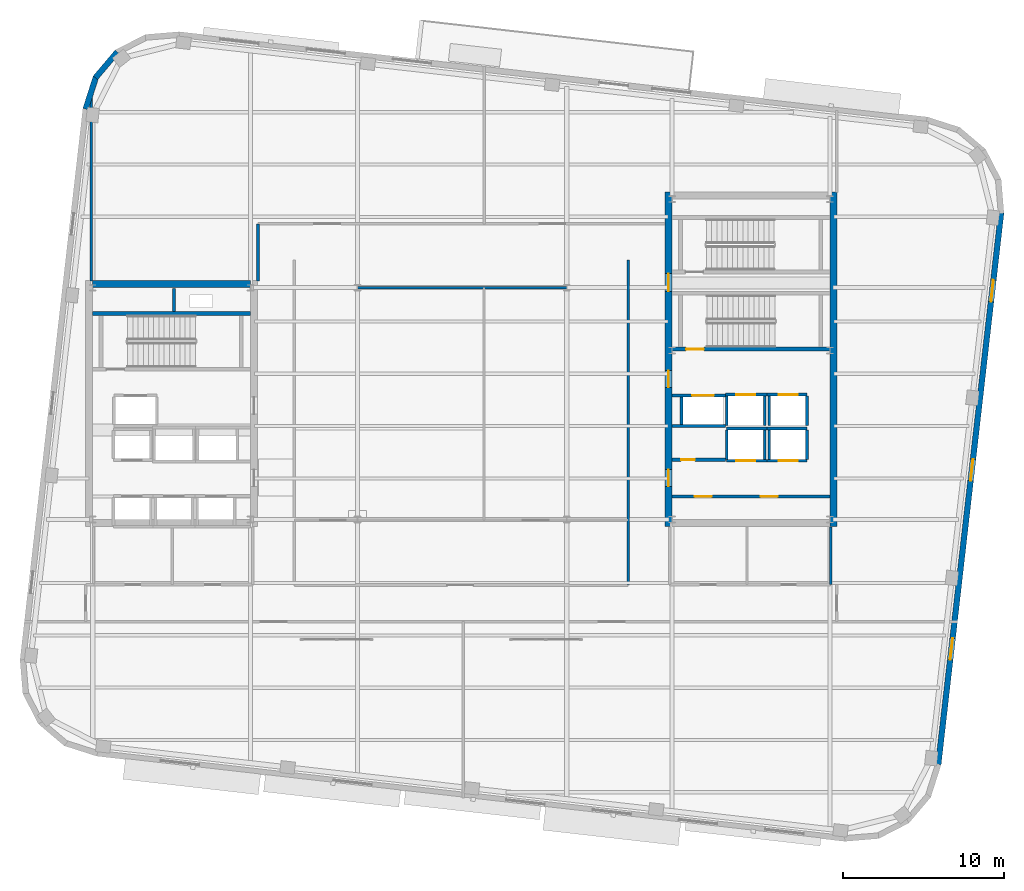
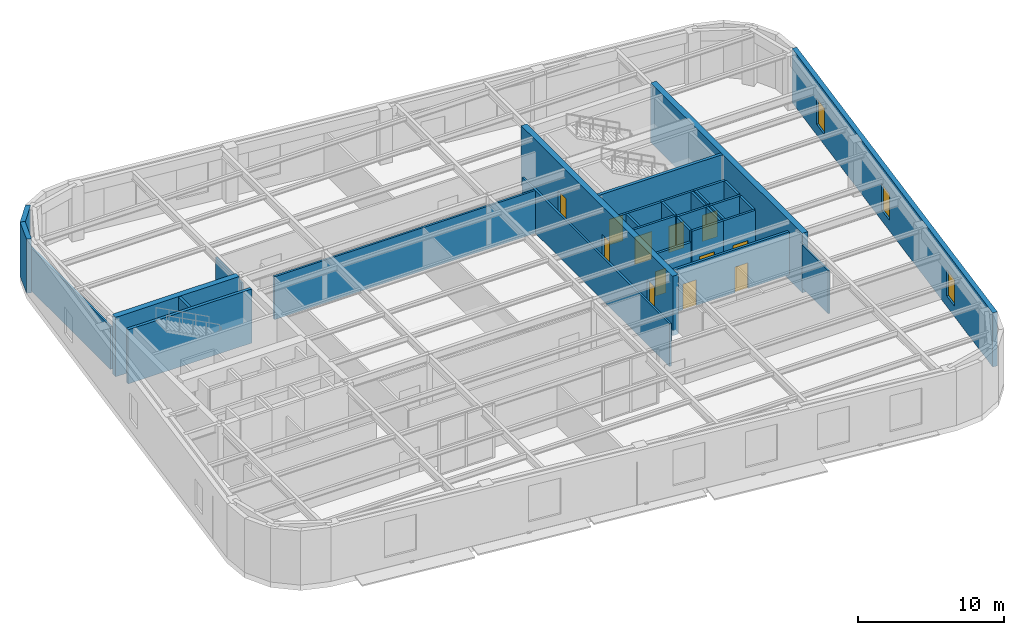
# One storey, part 9 of 15: 33 walls, 12 doors, 3 windows, 15 openings.
"""IFC4 building model written with IfcOpenShell, lengths in metres."""

from ifc_helpers import new_model, si_unit, direction, frame, frame_2d, origin, place, context, subcontext, project, spatial, rectangle, extrude, material, layer, layer_set, type_object, element, fill, save


model = new_model("IFC4")

# Units and contexts
model_context = context("Model", 3, precision=1e-05, world=origin(), true_north=direction((0.0, 1.0)))
body_context = subcontext(model_context, "Body", "Model", "MODEL_VIEW")
ifc_project = project(units=[si_unit("LENGTHUNIT", "METRE"), si_unit("AREAUNIT", "SQUARE_METRE"), si_unit("VOLUMEUNIT", "CUBIC_METRE"), si_unit("PLANEANGLEUNIT", "RADIAN"), si_unit("MASSUNIT", "GRAM", prefix="KILO")], contexts=[model_context])

# Site, building, storey
site_placement = place(None, origin())
site = spatial("IfcSite", under=ifc_project, at=site_placement, CompositionType="ELEMENT")
building_placement = place(site_placement, origin())
building = spatial("IfcBuilding", under=site, at=building_placement, Name="Kolvaren Arena Tower", CompositionType="ELEMENT")
storey_placement = place(building_placement, frame((0.0, 0.0, 216.14990234375)))
storey = spatial("IfcBuildingStorey", under=building, at=storey_placement, Name="L52", CompositionType="ELEMENT", Elevation=216.14990234375)

# Walls
ifc_material_1 = material(Name="Gypsum board acoustic assembly", Category="gypsum")
ifc_layer_1 = layer(ifc_material_1, 0.159912109375)
ifc_layer_set_1 = layer_set([ifc_layer_1], Name="Gypsum board acoustic assembly")
wall_type_1 = type_object("IfcWallType", Name="CORR-160", PredefinedType="PARTITIONING", material=ifc_layer_set_1)
wall_1_placement = place(storey_placement, frame((27.080078125, 33.85009765625, 0.0), z_axis=(0.0, 0.0, 1.0), x_axis=(1.0, 0.0, 0.0)))
element("IfcWall", 1, at=wall_1_placement, inside=storey, type_object=wall_type_1, Name="Interior Partition Wall (L52)", PredefinedType="PARTITIONING", context=body_context, shape_type="SweptSolid", body=[
    extrude(rectangle(XDim=20.739990234375, YDim=0.159912109375, at=frame_2d((10.3701171875, 0.0))), origin(), (0.0, 0.0, 1.0), 3.590087890625),
])
wall_2_placement = place(storey_placement, frame((47.820068359375, 15.3798828125, 0.0), z_axis=(0.0, 0.0, 1.0), x_axis=(0.0, 1.0, 0.0)))
element("IfcWall", 2, at=wall_2_placement, inside=storey, type_object=wall_type_1, Name="Interior Partition Wall (L52)", PredefinedType="PARTITIONING", context=body_context, shape_type="SweptSolid", body=[
    extrude(rectangle(XDim=20.2001953125, YDim=0.159912109375, at=frame_2d((10.10009765625, 0.0))), origin(), (0.0, 0.0, 1.0), 3.590087890625),
])
wall_3_placement = place(storey_placement, frame((24.820068359375, 34.25, 0.0), z_axis=(0.0, 0.0, 1.0), x_axis=(0.0, 1.0, 0.0)))
element("IfcWall", 3, at=wall_3_placement, inside=storey, type_object=wall_type_1, Name="Interior Partition Wall (L52)", PredefinedType="PARTITIONING", context=body_context, shape_type="SweptSolid", body=[
    extrude(rectangle(XDim=3.570068359375, YDim=0.159912109375, at=frame_2d((1.78515625, 0.0))), origin(), (0.0, 0.0, 1.0), 3.590087890625),
])
wall_4_placement = place(storey_placement, frame((14.449951171875, 34.25, 0.0), z_axis=(0.0, 0.0, 1.0), x_axis=(0.0, 1.0, 0.0)))
element("IfcWall", 4, at=wall_4_placement, inside=storey, type_object=wall_type_1, Name="Interior Partition Wall (L52)", PredefinedType="PARTITIONING", context=body_context, shape_type="SweptSolid", body=[
    extrude(rectangle(XDim=11.56201171875, YDim=0.159912109375, at=frame_2d((5.781005859375, 0.0))), origin(), (0.0, 0.0, 1.0), 3.590087890625),
])
ifc_material_2 = material(Name="Concrete 55 MPa", Category="concrete")
ifc_layer_2 = layer(ifc_material_2, 0.449951171875)
ifc_layer_set_2 = layer_set([ifc_layer_2], Name="Concrete 55 MPa")
wall_type_2 = type_object("IfcWallType", Name="CWALL-450", PredefinedType="SHEAR", material=ifc_layer_set_2)
wall_5_placement = place(storey_placement, frame((14.550048828125, 34.074951171875, -0.449951171875), z_axis=(0.0, 0.0, 1.0), x_axis=(1.0, 0.0, 0.0)))
element("IfcWall", 5, at=wall_5_placement, inside=storey, type_object=wall_type_2, Name="Core Shear Wall WC-NORTH (L52)", PredefinedType="SHEAR", context=body_context, shape_type="SweptSolid", body=[
    extrude(rectangle(XDim=9.800048828125, YDim=0.449951171875, at=frame_2d((4.89990234375, 0.0))), origin(), (0.0, 0.0, 1.0), 4.97998046875),
])

# Wall, openings, doors
wall_6_placement = place(storey_placement, frame((50.324951171875, 19.0, -0.449951171875), z_axis=(0.0, 0.0, 1.0), x_axis=(0.0, 1.0, 0.0)))
wall_6 = element("IfcWall", 6, at=wall_6_placement, inside=storey, type_object=wall_type_2, Name="Core Shear Wall EC-WEST (L52)", PredefinedType="SHEAR", context=body_context, shape_type="SweptSolid", body=[
    extrude(rectangle(XDim=20.800048828125, YDim=0.449951171875, at=frame_2d((10.39990234375, 0.0))), origin(), (0.0, 0.0, 1.0), 4.97998046875),
])
opening_1_placement = place(wall_6_placement, frame((2.5, 0.0, 0.449951171875)))
opening_1 = element("IfcOpeningElement", 7, at=opening_1_placement, cuts=wall_6, Name="Opening D04", PredefinedType="OPENING", context=body_context, shape_type="SweptSolid", body=[
    extrude(rectangle(XDim=1.050048828125, YDim=2.14990234375, at=frame_2d((0.52490234375, 1.074951171875))), frame((0.0, 0.23486328125, 0.0), z_axis=(0.0, -1.0, 0.0), x_axis=(1.0, 0.0, 0.0)), (0.0, 0.0, 1.0), 0.469970703125),
])
opening_2_placement = place(wall_6_placement, frame((8.64990234375, 0.0, 0.449951171875)))
opening_2 = element("IfcOpeningElement", 8, at=opening_2_placement, cuts=wall_6, Name="Opening D04", PredefinedType="OPENING", context=body_context, shape_type="SweptSolid", body=[
    extrude(rectangle(XDim=1.050048828125, YDim=2.14990234375, at=frame_2d((0.52490234375, 1.074951171875))), frame((0.0, 0.23486328125, 0.0), z_axis=(0.0, -1.0, 0.0), x_axis=(1.0, 0.0, 0.0)), (0.0, 0.0, 1.0), 0.469970703125),
])
opening_3_placement = place(wall_6_placement, frame((14.6201171875, 0.0, 0.449951171875)))
opening_3 = element("IfcOpeningElement", 9, at=opening_3_placement, cuts=wall_6, Name="Opening D03", PredefinedType="OPENING", context=body_context, shape_type="SweptSolid", body=[
    extrude(rectangle(XDim=1.10009765625, YDim=2.14990234375, at=frame_2d((0.550048828125, 1.074951171875))), frame((0.0, 0.23486328125, 0.0), z_axis=(0.0, -1.0, 0.0), x_axis=(1.0, 0.0, 0.0)), (0.0, 0.0, 1.0), 0.469970703125),
])
ifc_material_3 = material(Name="Fire-rated steel lobby door", Category="steel")
door_type_1 = type_object("IfcDoorType", Name="DOOR-FF-105", OperationType="NOTDEFINED", PredefinedType="DOOR", material=ifc_material_3)
door_1_placement = place(opening_1_placement, origin())
door_1 = element("IfcDoor", 10, at=door_1_placement, inside=storey, type_object=door_type_1, Name="East Lift Lobby Fire Door (L52)", OperationType="SINGLE_SWING_RIGHT", OverallHeight=2.14990234375, OverallWidth=1.050048828125, PredefinedType="DOOR", context=body_context, shape_type="SweptSolid", body=[
    extrude(rectangle(XDim=1.050048828125, YDim=2.14990234375, at=frame_2d((0.52490234375, 1.074951171875))), frame((0.0, 0.02490234375, 0.0), z_axis=(0.0, -1.0, 0.0), x_axis=(1.0, 0.0, 0.0)), (0.0, 0.0, 1.0), 0.050048828125),
])
fill(opening_1, door_1)
door_2_placement = place(opening_2_placement, origin())
door_2 = element("IfcDoor", 11, at=door_2_placement, inside=storey, type_object=door_type_1, Name="East Firefighter Vestibule Door (L52)", OperationType="SINGLE_SWING_LEFT", OverallHeight=2.14990234375, OverallWidth=1.050048828125, PredefinedType="DOOR", context=body_context, shape_type="SweptSolid", body=[
    extrude(rectangle(XDim=1.050048828125, YDim=2.14990234375, at=frame_2d((0.52490234375, 1.074951171875))), frame((0.0, 0.02490234375, 0.0), z_axis=(0.0, -1.0, 0.0), x_axis=(1.0, 0.0, 0.0)), (0.0, 0.0, 1.0), 0.050048828125),
])
fill(opening_2, door_2)
ifc_material_4 = material(Name="Fire-rated steel exit stair door", Category="steel")
door_type_2 = type_object("IfcDoorType", Name="DOOR-ST-110", OperationType="NOTDEFINED", PredefinedType="DOOR", material=ifc_material_4)
door_3_placement = place(opening_3_placement, origin())
door_3 = element("IfcDoor", 12, at=door_3_placement, inside=storey, type_object=door_type_2, Name="Stair ST-E2 Vestibule Fire Door (L52)", OperationType="SINGLE_SWING_LEFT", OverallHeight=2.14990234375, OverallWidth=1.10009765625, PredefinedType="DOOR", context=body_context, shape_type="SweptSolid", body=[
    extrude(rectangle(XDim=1.10009765625, YDim=2.14990234375, at=frame_2d((0.550048828125, 1.074951171875))), frame((0.0, 0.02490234375, 0.0), z_axis=(0.0, -1.0, 0.0), x_axis=(1.0, 0.0, 0.0)), (0.0, 0.0, 1.0), 0.050048828125),
])
fill(opening_3, door_3)

# Wall
wall_7_placement = place(storey_placement, frame((60.574951171875, 19.0, -0.449951171875), z_axis=(0.0, 0.0, 1.0), x_axis=(0.0, 1.0, 0.0)))
element("IfcWall", 13, at=wall_7_placement, inside=storey, type_object=wall_type_2, Name="Core Shear Wall EC-EAST (L52)", PredefinedType="SHEAR", context=body_context, shape_type="SweptSolid", body=[
    extrude(rectangle(XDim=20.800048828125, YDim=0.449951171875, at=frame_2d((10.39990234375, 0.0))), origin(), (0.0, 0.0, 1.0), 4.97998046875),
])

# Wall, openings, windows
ifc_material_5 = material(Name="Precast concrete C50/60", Category="concrete")
ifc_layer_3 = layer(ifc_material_5, 0.360107421875)
ifc_layer_set_3 = layer_set([ifc_layer_3], Name="Precast concrete C50/60")
wall_type_3 = type_object("IfcWallType", Name="EXT-PIER2", PredefinedType="SOLIDWALL", material=ifc_layer_set_3)
wall_8_placement = place(storey_placement, frame((70.98876953125, 38.499267578125, 0.0), z_axis=(0.0, 0.0, 1.0), x_axis=(-0.113203107947, -0.993571867733, 0.0)))
wall_8 = element("IfcWall", 14, at=wall_8_placement, inside=storey, type_object=wall_type_3, Name="Exterior Precast Masonry-Frame Wall (L52)", PredefinedType="SOLIDWALL", context=body_context, shape_type="SweptSolid", body=[
    extrude(rectangle(XDim=34.5, YDim=0.360107421875, at=frame_2d((17.25, 0.0))), origin(), (0.0, 0.0, 1.0), 4.530029296875),
])
opening_4_placement = place(wall_8_placement, frame((4.199951171875, 0.0, 0.8798828125)))
opening_4 = element("IfcOpeningElement", 15, at=opening_4_placement, cuts=wall_8, Name="Opening W04", PredefinedType="OPENING", context=body_context, shape_type="SweptSolid", body=[
    extrude(rectangle(XDim=1.35009765625, YDim=2.199951171875, at=frame_2d((0.675048828125, 1.10009765625))), frame((0.0, 0.18994140625, 0.0), z_axis=(0.0, -1.0, 0.0), x_axis=(1.0, 0.0, 0.0)), (0.0, 0.0, 1.0), 0.380126953125),
])
opening_5_placement = place(wall_8_placement, frame((15.39990234375, 0.0, 0.8798828125)))
opening_5 = element("IfcOpeningElement", 16, at=opening_5_placement, cuts=wall_8, Name="Opening W04", PredefinedType="OPENING", context=body_context, shape_type="SweptSolid", body=[
    extrude(rectangle(XDim=1.35009765625, YDim=2.199951171875, at=frame_2d((0.675048828125, 1.10009765625))), frame((0.0, 0.18994140625, 0.0), z_axis=(0.0, -1.0, 0.0), x_axis=(1.0, 0.0, 0.0)), (0.0, 0.0, 1.0), 0.380126953125),
])
opening_6_placement = place(wall_8_placement, frame((26.60009765625, 0.0, 0.8798828125)))
opening_6 = element("IfcOpeningElement", 17, at=opening_6_placement, cuts=wall_8, Name="Opening W04", PredefinedType="OPENING", context=body_context, shape_type="SweptSolid", body=[
    extrude(rectangle(XDim=1.35009765625, YDim=2.199951171875, at=frame_2d((0.675048828125, 1.10009765625))), frame((0.0, 0.18994140625, 0.0), z_axis=(0.0, -1.0, 0.0), x_axis=(1.0, 0.0, 0.0)), (0.0, 0.0, 1.0), 0.380126953125),
])
ifc_material_6 = material(Name="Triple-glazed curved-facet corner window", Category="glass")
window_type = type_object("IfcWindowType", Name="WIN-CRN-A", PartitioningType="SINGLE_PANEL", PredefinedType="WINDOW", material=ifc_material_6)
window_1_placement = place(opening_4_placement, origin())
window_1 = element("IfcWindow", 18, at=window_1_placement, inside=storey, type_object=window_type, Name="End-Wall Punched Window (L52)", OverallHeight=2.199951171875, OverallWidth=1.35009765625, PartitioningType="SINGLE_PANEL", PredefinedType="WINDOW", context=body_context, shape_type="SweptSolid", body=[
    extrude(rectangle(XDim=1.35009765625, YDim=2.199951171875, at=frame_2d((0.675048828125, 1.10009765625))), frame((0.0, 0.030029296875, 0.0), z_axis=(0.0, -1.0, 0.0), x_axis=(1.0, 0.0, 0.0)), (0.0, 0.0, 1.0), 0.06005859375),
])
fill(opening_4, window_1)
window_2_placement = place(opening_5_placement, origin())
window_2 = element("IfcWindow", 19, at=window_2_placement, inside=storey, type_object=window_type, Name="End-Wall Punched Window (L52)", OverallHeight=2.199951171875, OverallWidth=1.35009765625, PartitioningType="SINGLE_PANEL", PredefinedType="WINDOW", context=body_context, shape_type="SweptSolid", body=[
    extrude(rectangle(XDim=1.35009765625, YDim=2.199951171875, at=frame_2d((0.675048828125, 1.10009765625))), frame((0.0, 0.030029296875, 0.0), z_axis=(0.0, -1.0, 0.0), x_axis=(1.0, 0.0, 0.0)), (0.0, 0.0, 1.0), 0.06005859375),
])
fill(opening_5, window_2)
window_3_placement = place(opening_6_placement, origin())
window_3 = element("IfcWindow", 20, at=window_3_placement, inside=storey, type_object=window_type, Name="End-Wall Punched Window (L52)", OverallHeight=2.199951171875, OverallWidth=1.35009765625, PartitioningType="SINGLE_PANEL", PredefinedType="WINDOW", context=body_context, shape_type="SweptSolid", body=[
    extrude(rectangle(XDim=1.35009765625, YDim=2.199951171875, at=frame_2d((0.675048828125, 1.10009765625))), frame((0.0, 0.030029296875, 0.0), z_axis=(0.0, -1.0, 0.0), x_axis=(1.0, 0.0, 0.0)), (0.0, 0.0, 1.0), 0.06005859375),
])
fill(opening_6, window_3)

# Walls
wall_9_placement = place(storey_placement, frame((14.717529296875, 46.8896484375, 0.0), z_axis=(0.0, 0.0, 1.0), x_axis=(0.646170743289, 0.763192878975, 0.0)))
element("IfcWall", 21, at=wall_9_placement, inside=storey, type_object=wall_type_3, Name="Exterior Precast Masonry-Frame Wall (L52)", PredefinedType="SOLIDWALL", context=body_context, shape_type="SweptSolid", body=[
    extrude(rectangle(XDim=2.107177734375, YDim=0.360107421875, at=frame_2d((1.0537109375, 0.0))), origin(), (0.0, 0.0, 1.0), 4.530029296875),
])
wall_10_placement = place(storey_placement, frame((14.109375, 44.944580078125, 0.0), z_axis=(0.0, 0.0, 1.0), x_axis=(0.304872429864, 0.952393196904, 0.0)))
element("IfcWall", 22, at=wall_10_placement, inside=storey, type_object=wall_type_3, Name="Exterior Precast Masonry-Frame Wall (L52)", PredefinedType="SOLIDWALL", context=body_context, shape_type="SweptSolid", body=[
    extrude(rectangle(XDim=2.10693359375, YDim=0.360107421875, at=frame_2d((1.053466796875, 0.0))), origin(), (0.0, 0.0, 1.0), 4.530029296875),
])

# Wall, openings, doors
ifc_material_7 = material(Name="Concrete 40 MPa", Category="concrete")
ifc_layer_4 = layer(ifc_material_7, 0.199951171875)
ifc_layer_set_4 = layer_set([ifc_layer_4], Name="Concrete 40 MPa")
wall_type_4 = type_object("IfcWallType", Name="LOBBY-200", PredefinedType="SOLIDWALL", material=ifc_layer_set_4)
wall_11_placement = place(storey_placement, frame((50.550048828125, 20.8798828125, 0.0), z_axis=(0.0, 0.0, 1.0), x_axis=(1.0, 0.0, 0.0)))
wall_11 = element("IfcWall", 23, at=wall_11_placement, inside=storey, type_object=wall_type_4, Name="Core Shaft Wall (L52)", PredefinedType="SOLIDWALL", context=body_context, shape_type="SweptSolid", body=[
    extrude(rectangle(XDim=9.800048828125, YDim=0.199951171875, at=frame_2d((4.89990234375, 0.0))), origin(), (0.0, 0.0, 1.0), 3.590087890625),
])
opening_7_placement = place(wall_11_placement, frame((1.39990234375, 0.0, 0.0)))
opening_7 = element("IfcOpeningElement", 24, at=opening_7_placement, cuts=wall_11, Name="Opening D04", PredefinedType="OPENING", context=body_context, shape_type="SweptSolid", body=[
    extrude(rectangle(XDim=1.050048828125, YDim=2.14990234375, at=frame_2d((0.52490234375, 1.074951171875))), frame((0.0, 0.10986328125, 0.0), z_axis=(0.0, -1.0, 0.0), x_axis=(1.0, 0.0, 0.0)), (0.0, 0.0, 1.0), 0.219970703125),
])
opening_8_placement = place(wall_11_placement, frame((5.5, 0.0, 0.0)))
opening_8 = element("IfcOpeningElement", 25, at=opening_8_placement, cuts=wall_11, Name="Opening D04", PredefinedType="OPENING", context=body_context, shape_type="SweptSolid", body=[
    extrude(rectangle(XDim=1.050048828125, YDim=2.14990234375, at=frame_2d((0.52490234375, 1.074951171875))), frame((0.0, 0.10986328125, 0.0), z_axis=(0.0, -1.0, 0.0), x_axis=(1.0, 0.0, 0.0)), (0.0, 0.0, 1.0), 0.219970703125),
])
door_4_placement = place(opening_7_placement, origin())
door_4 = element("IfcDoor", 26, at=door_4_placement, inside=storey, type_object=door_type_1, Name="East Telecom Room Fire Door (L52)", OperationType="SINGLE_SWING_RIGHT", OverallHeight=2.14990234375, OverallWidth=1.050048828125, PredefinedType="DOOR", context=body_context, shape_type="SweptSolid", body=[
    extrude(rectangle(XDim=1.050048828125, YDim=2.14990234375, at=frame_2d((0.52490234375, 1.074951171875))), frame((0.0, 0.02490234375, 0.0), z_axis=(0.0, -1.0, 0.0), x_axis=(1.0, 0.0, 0.0)), (0.0, 0.0, 1.0), 0.050048828125),
])
fill(opening_7, door_4)
door_5_placement = place(opening_8_placement, origin())
door_5 = element("IfcDoor", 27, at=door_5_placement, inside=storey, type_object=door_type_1, Name="East Records Room Fire Door (L52)", OperationType="SINGLE_SWING_LEFT", OverallHeight=2.14990234375, OverallWidth=1.050048828125, PredefinedType="DOOR", context=body_context, shape_type="SweptSolid", body=[
    extrude(rectangle(XDim=1.050048828125, YDim=2.14990234375, at=frame_2d((0.52490234375, 1.074951171875))), frame((0.0, 0.02490234375, 0.0), z_axis=(0.0, -1.0, 0.0), x_axis=(1.0, 0.0, 0.0)), (0.0, 0.0, 1.0), 0.050048828125),
])
fill(opening_8, door_5)

# Wall, opening, door
wall_12_placement = place(storey_placement, frame((50.550048828125, 23.159912109375, 0.0), z_axis=(0.0, 0.0, 1.0), x_axis=(1.0, 0.0, 0.0)))
wall_12 = element("IfcWall", 28, at=wall_12_placement, inside=storey, type_object=wall_type_4, Name="Core Shaft Wall (L52)", PredefinedType="SOLIDWALL", context=body_context, shape_type="SweptSolid", body=[
    extrude(rectangle(XDim=3.329833984375, YDim=0.199951171875, at=frame_2d((1.6650390625, 0.0))), origin(), (0.0, 0.0, 1.0), 3.590087890625),
])
opening_9_placement = place(wall_12_placement, frame((0.550048828125, 0.0, 0.0)))
opening_9 = element("IfcOpeningElement", 29, at=opening_9_placement, cuts=wall_12, Name="Opening D09", PredefinedType="OPENING", context=body_context, shape_type="SweptSolid", body=[
    extrude(rectangle(XDim=0.860107421875, YDim=2.050048828125, at=frame_2d((0.43017578125, 1.02490234375))), frame((0.0, 0.10986328125, 0.0), z_axis=(0.0, -1.0, 0.0), x_axis=(1.0, 0.0, 0.0)), (0.0, 0.0, 1.0), 0.219970703125),
])
ifc_material_8 = material(Name="Fire-rated steel riser access door", Category="steel")
door_type_3 = type_object("IfcDoorType", Name="DOOR-RS-086", OperationType="NOTDEFINED", PredefinedType="DOOR", material=ifc_material_8)
door_6_placement = place(opening_9_placement, origin())
door_6 = element("IfcDoor", 30, at=door_6_placement, inside=storey, type_object=door_type_3, Name="East AV Riser Closet Door (L52)", OperationType="SINGLE_SWING_LEFT", OverallHeight=2.050048828125, OverallWidth=0.860107421875, PredefinedType="DOOR", context=body_context, shape_type="SweptSolid", body=[
    extrude(rectangle(XDim=0.860107421875, YDim=2.050048828125, at=frame_2d((0.43017578125, 1.02490234375))), frame((0.0, 0.02490234375, 0.0), z_axis=(0.0, -1.0, 0.0), x_axis=(1.0, 0.0, 0.0)), (0.0, 0.0, 1.0), 0.050048828125),
])
fill(opening_9, door_6)

# Wall
ifc_material_9 = material(Name="Concrete 45 MPa", Category="concrete")
ifc_layer_5 = layer(ifc_material_9, 0.25)
ifc_layer_set_5 = layer_set([ifc_layer_5], Name="Concrete 45 MPa")
wall_type_5 = type_object("IfcWallType", Name="SHAFT-250", PredefinedType="SOLIDWALL", material=ifc_layer_set_5)
wall_13_placement = place(storey_placement, frame((14.550048828125, 32.25, 0.0), z_axis=(0.0, 0.0, 1.0), x_axis=(1.0, 0.0, 0.0)))
element("IfcWall", 31, at=wall_13_placement, inside=storey, type_object=wall_type_5, Name="Core Shaft Wall (L52)", PredefinedType="SOLIDWALL", context=body_context, shape_type="SweptSolid", body=[
    extrude(rectangle(XDim=9.800048828125, YDim=0.239990234375, at=frame_2d((4.89990234375, 0.0))), origin(), (0.0, 0.0, 1.0), 4.530029296875),
])

# Wall, opening, door
wall_14_placement = place(storey_placement, frame((60.35009765625, 30.030029296875, 0.0), z_axis=(0.0, 0.0, 1.0), x_axis=(-1.0, 0.0, 0.0)))
wall_14 = element("IfcWall", 32, at=wall_14_placement, inside=storey, type_object=wall_type_5, Name="Core Shaft Wall (L52)", PredefinedType="SOLIDWALL", context=body_context, shape_type="SweptSolid", body=[
    extrude(rectangle(XDim=9.800048828125, YDim=0.239990234375, at=frame_2d((4.89990234375, 0.0))), origin(), (0.0, 0.0, 1.0), 4.530029296875),
])
opening_10_placement = place(wall_14_placement, frame((7.830078125, 0.0, 0.0)))
opening_10 = element("IfcOpeningElement", 33, at=opening_10_placement, cuts=wall_14, Name="Opening D03", PredefinedType="OPENING", context=body_context, shape_type="SweptSolid", body=[
    extrude(rectangle(XDim=1.10009765625, YDim=2.14990234375, at=frame_2d((0.550048828125, 1.074951171875))), frame((0.0, 0.1298828125, 0.0), z_axis=(0.0, -1.0, 0.0), x_axis=(1.0, 0.0, 0.0)), (0.0, 0.0, 1.0), 0.260009765625),
])
door_7_placement = place(opening_10_placement, origin())
door_7 = element("IfcDoor", 34, at=door_7_placement, inside=storey, type_object=door_type_2, Name="Stair ST-E1 Fire Door (L52)", OperationType="SINGLE_SWING_LEFT", OverallHeight=2.14990234375, OverallWidth=1.10009765625, PredefinedType="DOOR", context=body_context, shape_type="SweptSolid", body=[
    extrude(rectangle(XDim=1.10009765625, YDim=2.14990234375, at=frame_2d((0.550048828125, 1.074951171875))), frame((0.0, 0.02490234375, 0.0), z_axis=(0.0, -1.0, 0.0), x_axis=(1.0, 0.0, 0.0)), (0.0, 0.0, 1.0), 0.050048828125),
])
fill(opening_10, door_7)

# Walls
wall_15_placement = place(storey_placement, frame((19.60009765625, 32.3701171875, 0.0), z_axis=(0.0, 0.0, 1.0), x_axis=(0.0, 1.0, 0.0)))
element("IfcWall", 35, at=wall_15_placement, inside=storey, type_object=wall_type_5, Name="Core Shaft Wall (L52)", PredefinedType="SOLIDWALL", context=body_context, shape_type="SweptSolid", body=[
    extrude(rectangle(XDim=1.429931640625, YDim=0.199951171875, at=frame_2d((0.71484375, 0.0))), origin(), (0.0, 0.0, 1.0), 4.530029296875),
])
wall_16_placement = place(storey_placement, frame((53.93994140625, 25.10498046875, 0.0), z_axis=(0.0, 0.0, 1.0), x_axis=(1.0, 0.0, 0.0)))
element("IfcWall", 36, at=wall_16_placement, inside=storey, type_object=wall_type_5, Name="Core Shaft Wall (L52)", PredefinedType="SOLIDWALL", context=body_context, shape_type="SweptSolid", body=[
    extrude(rectangle(XDim=2.5, YDim=0.179931640625, at=frame_2d((1.25, 0.0))), origin(), (0.0, 0.0, 1.0), 4.530029296875),
])

# Wall, opening, door
wall_17_placement = place(storey_placement, frame((53.93994140625, 23.094970703125, 0.0), z_axis=(0.0, 0.0, 1.0), x_axis=(1.0, 0.0, 0.0)))
wall_17 = element("IfcWall", 37, at=wall_17_placement, inside=storey, type_object=wall_type_5, Name="Core Shaft Wall (L52)", PredefinedType="SOLIDWALL", context=body_context, shape_type="SweptSolid", body=[
    extrude(rectangle(XDim=2.5, YDim=0.179931640625, at=frame_2d((1.25, 0.0))), origin(), (0.0, 0.0, 1.0), 4.530029296875),
])
opening_11_placement = place(wall_17_placement, frame((0.580078125, 0.0, 0.0)))
opening_11 = element("IfcOpeningElement", 38, at=opening_11_placement, cuts=wall_17, Name="Opening LD1", PredefinedType="OPENING", context=body_context, shape_type="SweptSolid", body=[
    extrude(rectangle(XDim=1.199951171875, YDim=2.199951171875, at=frame_2d((0.60009765625, 1.10009765625))), frame((0.0, 0.099853515625, 0.0), z_axis=(0.0, -1.0, 0.0), x_axis=(1.0, 0.0, 0.0)), (0.0, 0.0, 1.0), 0.199951171875),
])
ifc_material_10 = material(Name="Stainless steel passenger lift landing door", Category="steel")
door_type_4 = type_object("IfcDoorType", Name="DOOR-LD-120", OperationType="DOUBLE_DOOR_SLIDING", PredefinedType="DOOR", material=ifc_material_10)
door_8_placement = place(opening_11_placement, origin())
door_8 = element("IfcDoor", 39, at=door_8_placement, inside=storey, type_object=door_type_4, Name="Lift EL-HR1 Landing Door (L52)", OperationType="DOUBLE_DOOR_SLIDING", OverallHeight=2.199951171875, OverallWidth=1.199951171875, PredefinedType="DOOR", context=body_context, shape_type="SweptSolid", body=[
    extrude(rectangle(XDim=1.199951171875, YDim=2.199951171875, at=frame_2d((0.60009765625, 1.10009765625))), frame((0.0, 0.02490234375, 0.0), z_axis=(0.0, -1.0, 0.0), x_axis=(1.0, 0.0, 0.0)), (0.0, 0.0, 1.0), 0.050048828125),
])
fill(opening_11, door_8)

# Walls
for number, where, z_axis, x_axis, name in (
    (40, (53.93994140625, 23.18505859375, 0.0), (0.0, 0.0, 1.0), (0.0, 1.0, 0.0), "Core Shaft Wall (L52)"),
    (41, (56.300048828125, 23.18505859375, 0.0), (0.0, 0.0, 1.0), (0.0, 1.0, 0.0), "Core Shaft Wall (L52)"),
):
    element("IfcWall", number, at=place(storey_placement, frame(where, z_axis=z_axis, x_axis=x_axis)), inside=storey, type_object=wall_type_5, Name=name, PredefinedType="SOLIDWALL", context=body_context, shape_type="SweptSolid", body=[
        extrude(rectangle(XDim=1.829833984375, YDim=0.179931640625, at=frame_2d((0.9150390625, 0.0))), origin(), (0.0, 0.0, 1.0), 4.530029296875),
    ])
wall_18_placement = place(storey_placement, frame((56.43994140625, 25.10498046875, 0.0), z_axis=(0.0, 0.0, 1.0), x_axis=(1.0, 0.0, 0.0)))
element("IfcWall", 42, at=wall_18_placement, inside=storey, type_object=wall_type_5, Name="Core Shaft Wall (L52)", PredefinedType="SOLIDWALL", context=body_context, shape_type="SweptSolid", body=[
    extrude(rectangle(XDim=2.5, YDim=0.179931640625, at=frame_2d((1.25, 0.0))), origin(), (0.0, 0.0, 1.0), 4.530029296875),
])

# Wall, opening, door
wall_19_placement = place(storey_placement, frame((56.43994140625, 23.094970703125, 0.0), z_axis=(0.0, 0.0, 1.0), x_axis=(1.0, 0.0, 0.0)))
wall_19 = element("IfcWall", 43, at=wall_19_placement, inside=storey, type_object=wall_type_5, Name="Core Shaft Wall (L52)", PredefinedType="SOLIDWALL", context=body_context, shape_type="SweptSolid", body=[
    extrude(rectangle(XDim=2.5, YDim=0.179931640625, at=frame_2d((1.25, 0.0))), origin(), (0.0, 0.0, 1.0), 4.530029296875),
])
opening_12_placement = place(wall_19_placement, frame((0.719970703125, 0.0, 0.0)))
opening_12 = element("IfcOpeningElement", 44, at=opening_12_placement, cuts=wall_19, Name="Opening LD1", PredefinedType="OPENING", context=body_context, shape_type="SweptSolid", body=[
    extrude(rectangle(XDim=1.199951171875, YDim=2.199951171875, at=frame_2d((0.60009765625, 1.10009765625))), frame((0.0, 0.099853515625, 0.0), z_axis=(0.0, -1.0, 0.0), x_axis=(1.0, 0.0, 0.0)), (0.0, 0.0, 1.0), 0.199951171875),
])
door_9_placement = place(opening_12_placement, origin())
door_9 = element("IfcDoor", 45, at=door_9_placement, inside=storey, type_object=door_type_4, Name="Lift EL-HR2 Landing Door (L52)", OperationType="DOUBLE_DOOR_SLIDING", OverallHeight=2.199951171875, OverallWidth=1.199951171875, PredefinedType="DOOR", context=body_context, shape_type="SweptSolid", body=[
    extrude(rectangle(XDim=1.199951171875, YDim=2.199951171875, at=frame_2d((0.60009765625, 1.10009765625))), frame((0.0, 0.02490234375, 0.0), z_axis=(0.0, -1.0, 0.0), x_axis=(1.0, 0.0, 0.0)), (0.0, 0.0, 1.0), 0.050048828125),
])
fill(opening_12, door_9)

# Walls
for number, where, z_axis, x_axis, name in (
    (46, (56.580078125, 23.18505859375, 0.0), (0.0, 0.0, 1.0), (0.0, 1.0, 0.0), "Core Shaft Wall (L52)"),
    (47, (58.93994140625, 23.18505859375, 0.0), (0.0, 0.0, 1.0), (0.0, 1.0, 0.0), "Core Shaft Wall (L52)"),
):
    element("IfcWall", number, at=place(storey_placement, frame(where, z_axis=z_axis, x_axis=x_axis)), inside=storey, type_object=wall_type_5, Name=name, PredefinedType="SOLIDWALL", context=body_context, shape_type="SweptSolid", body=[
        extrude(rectangle(XDim=1.829833984375, YDim=0.179931640625, at=frame_2d((0.9150390625, 0.0))), origin(), (0.0, 0.0, 1.0), 4.530029296875),
    ])

# Wall, opening, door
wall_20_placement = place(storey_placement, frame((53.864990234375, 27.205078125, 0.0), z_axis=(0.0, 0.0, 1.0), x_axis=(1.0, 0.0, 0.0)))
wall_20 = element("IfcWall", 48, at=wall_20_placement, inside=storey, type_object=wall_type_5, Name="Core Shaft Wall (L52)", PredefinedType="SOLIDWALL", context=body_context, shape_type="SweptSolid", body=[
    extrude(rectangle(XDim=2.574951171875, YDim=0.179931640625, at=frame_2d((1.28759765625, 0.0))), origin(), (0.0, 0.0, 1.0), 4.530029296875),
])
opening_13_placement = place(wall_20_placement, frame((0.655029296875, 0.0, 0.0)))
opening_13 = element("IfcOpeningElement", 49, at=opening_13_placement, cuts=wall_20, Name="Opening LD1", PredefinedType="OPENING", context=body_context, shape_type="SweptSolid", body=[
    extrude(rectangle(XDim=1.199951171875, YDim=2.199951171875, at=frame_2d((0.60009765625, 1.10009765625))), frame((0.0, 0.099853515625, 0.0), z_axis=(0.0, -1.0, 0.0), x_axis=(1.0, 0.0, 0.0)), (0.0, 0.0, 1.0), 0.199951171875),
])
door_10_placement = place(opening_13_placement, origin())
door_10 = element("IfcDoor", 50, at=door_10_placement, inside=storey, type_object=door_type_4, Name="Lift EL-HR3 Landing Door (L52)", OperationType="DOUBLE_DOOR_SLIDING", OverallHeight=2.199951171875, OverallWidth=1.199951171875, PredefinedType="DOOR", context=body_context, shape_type="SweptSolid", body=[
    extrude(rectangle(XDim=1.199951171875, YDim=2.199951171875, at=frame_2d((0.60009765625, 1.10009765625))), frame((0.0, 0.02490234375, 0.0), z_axis=(0.0, -1.0, 0.0), x_axis=(1.0, 0.0, 0.0)), (0.0, 0.0, 1.0), 0.050048828125),
])
fill(opening_13, door_10)

# Walls
for number, where, z_axis, x_axis, name in (
    (51, (53.93994140625, 25.284912109375, 0.0), (0.0, 0.0, 1.0), (0.0, 1.0, 0.0), "Core Shaft Wall (L52)"),
    (52, (56.300048828125, 25.284912109375, 0.0), (0.0, 0.0, 1.0), (0.0, 1.0, 0.0), "Core Shaft Wall (L52)"),
):
    element("IfcWall", number, at=place(storey_placement, frame(where, z_axis=z_axis, x_axis=x_axis)), inside=storey, type_object=wall_type_5, Name=name, PredefinedType="SOLIDWALL", context=body_context, shape_type="SweptSolid", body=[
        extrude(rectangle(XDim=1.830078125, YDim=0.179931640625, at=frame_2d((0.9150390625, 0.0))), origin(), (0.0, 0.0, 1.0), 4.530029296875),
    ])

# Wall, opening, door
wall_21_placement = place(storey_placement, frame((56.43994140625, 27.205078125, 0.0), z_axis=(0.0, 0.0, 1.0), x_axis=(1.0, 0.0, 0.0)))
wall_21 = element("IfcWall", 53, at=wall_21_placement, inside=storey, type_object=wall_type_5, Name="Core Shaft Wall (L52)", PredefinedType="SOLIDWALL", context=body_context, shape_type="SweptSolid", body=[
    extrude(rectangle(XDim=2.5, YDim=0.179931640625, at=frame_2d((1.25, 0.0))), origin(), (0.0, 0.0, 1.0), 4.530029296875),
])
opening_14_placement = place(wall_21_placement, frame((0.719970703125, 0.0, 0.0)))
opening_14 = element("IfcOpeningElement", 54, at=opening_14_placement, cuts=wall_21, Name="Opening LD1", PredefinedType="OPENING", context=body_context, shape_type="SweptSolid", body=[
    extrude(rectangle(XDim=1.199951171875, YDim=2.199951171875, at=frame_2d((0.60009765625, 1.10009765625))), frame((0.0, 0.099853515625, 0.0), z_axis=(0.0, -1.0, 0.0), x_axis=(1.0, 0.0, 0.0)), (0.0, 0.0, 1.0), 0.199951171875),
])
door_11_placement = place(opening_14_placement, origin())
door_11 = element("IfcDoor", 55, at=door_11_placement, inside=storey, type_object=door_type_4, Name="Lift EL-HR4 Landing Door (L52)", OperationType="DOUBLE_DOOR_SLIDING", OverallHeight=2.199951171875, OverallWidth=1.199951171875, PredefinedType="DOOR", context=body_context, shape_type="SweptSolid", body=[
    extrude(rectangle(XDim=1.199951171875, YDim=2.199951171875, at=frame_2d((0.60009765625, 1.10009765625))), frame((0.0, 0.02490234375, 0.0), z_axis=(0.0, -1.0, 0.0), x_axis=(1.0, 0.0, 0.0)), (0.0, 0.0, 1.0), 0.050048828125),
])
fill(opening_14, door_11)

# Walls
for number, where, z_axis, x_axis, name in (
    (56, (56.580078125, 25.284912109375, 0.0), (0.0, 0.0, 1.0), (0.0, 1.0, 0.0), "Core Shaft Wall (L52)"),
    (57, (58.93994140625, 25.284912109375, 0.0), (0.0, 0.0, 1.0), (0.0, 1.0, 0.0), "Core Shaft Wall (L52)"),
):
    element("IfcWall", number, at=place(storey_placement, frame(where, z_axis=z_axis, x_axis=x_axis)), inside=storey, type_object=wall_type_5, Name=name, PredefinedType="SOLIDWALL", context=body_context, shape_type="SweptSolid", body=[
        extrude(rectangle(XDim=1.830078125, YDim=0.179931640625, at=frame_2d((0.9150390625, 0.0))), origin(), (0.0, 0.0, 1.0), 4.530029296875),
    ])

# Wall, opening, door
wall_22_placement = place(storey_placement, frame((50.550048828125, 27.155029296875, 0.0), z_axis=(0.0, 0.0, 1.0), x_axis=(1.0, 0.0, 0.0)))
wall_22 = element("IfcWall", 58, at=wall_22_placement, inside=storey, type_object=wall_type_5, Name="Core Shaft Wall (L52)", PredefinedType="SOLIDWALL", context=body_context, shape_type="SweptSolid", body=[
    extrude(rectangle(XDim=3.31494140625, YDim=0.179931640625, at=frame_2d((1.657470703125, 0.0))), origin(), (0.0, 0.0, 1.0), 4.530029296875),
])
opening_15_placement = place(wall_22_placement, frame((1.235107421875, 0.0, 0.0)))
opening_15 = element("IfcOpeningElement", 59, at=opening_15_placement, cuts=wall_22, Name="Opening LD2", PredefinedType="OPENING", context=body_context, shape_type="SweptSolid", body=[
    extrude(rectangle(XDim=1.35009765625, YDim=2.300048828125, at=frame_2d((0.675048828125, 1.14990234375))), frame((0.0, 0.099853515625, 0.0), z_axis=(0.0, -1.0, 0.0), x_axis=(1.0, 0.0, 0.0)), (0.0, 0.0, 1.0), 0.199951171875),
])
ifc_material_11 = material(Name="Stainless steel firefighter lift landing door", Category="steel")
door_type_5 = type_object("IfcDoorType", Name="DOOR-LD-135", OperationType="DOUBLE_DOOR_SLIDING", PredefinedType="DOOR", material=ifc_material_11)
door_12_placement = place(opening_15_placement, origin())
door_12 = element("IfcDoor", 60, at=door_12_placement, inside=storey, type_object=door_type_5, Name="Firefighter Lift FF-E1 Landing Door (L52)", OperationType="DOUBLE_DOOR_SLIDING", OverallHeight=2.300048828125, OverallWidth=1.35009765625, PredefinedType="DOOR", context=body_context, shape_type="SweptSolid", body=[
    extrude(rectangle(XDim=1.35009765625, YDim=2.300048828125, at=frame_2d((0.675048828125, 1.14990234375))), frame((0.0, 0.02490234375, 0.0), z_axis=(0.0, -1.0, 0.0), x_axis=(1.0, 0.0, 0.0)), (0.0, 0.0, 1.0), 0.050048828125),
])
fill(opening_15, door_12)

# Walls
wall_23_placement = place(storey_placement, frame((50.550048828125, 25.2451171875, 0.0), z_axis=(0.0, 0.0, 1.0), x_axis=(1.0, 0.0, 0.0)))
element("IfcWall", 61, at=wall_23_placement, inside=storey, type_object=wall_type_5, Name="Core Shaft Wall (L52)", PredefinedType="SOLIDWALL", context=body_context, shape_type="SweptSolid", body=[
    extrude(rectangle(XDim=3.31494140625, YDim=0.179931640625, at=frame_2d((1.657470703125, 0.0))), origin(), (0.0, 0.0, 1.0), 4.530029296875),
])
wall_24_placement = place(storey_placement, frame((51.1298828125, 25.3349609375, 0.0), z_axis=(0.0, 0.0, 1.0), x_axis=(0.0, 1.0, 0.0)))
element("IfcWall", 62, at=wall_24_placement, inside=storey, type_object=wall_type_5, Name="Core Shaft Wall (L52)", PredefinedType="SOLIDWALL", context=body_context, shape_type="SweptSolid", body=[
    extrude(rectangle(XDim=1.72998046875, YDim=0.179931640625, at=frame_2d((0.864990234375, 0.0))), origin(), (0.0, 0.0, 1.0), 4.530029296875),
])
ifc_material_12 = material(Name="Moisture-resistant gypsum assembly", Category="gypsum")
ifc_layer_6 = layer(ifc_material_12, 0.14990234375)
ifc_layer_set_6 = layer_set([ifc_layer_6], Name="Moisture-resistant gypsum assembly")
wall_type_6 = type_object("IfcWallType", Name="WETW-150", PredefinedType="PARTITIONING", material=ifc_layer_set_6)
wall_25_placement = place(storey_placement, frame((60.39990234375, 15.39990234375, 0.0), z_axis=(0.0, 0.0, 1.0), x_axis=(0.0, 1.0, 0.0)))
element("IfcWall", 63, at=wall_25_placement, inside=storey, type_object=wall_type_6, Name="Interior Partition Wall (L52)", PredefinedType="PARTITIONING", context=body_context, shape_type="SweptSolid", body=[
    extrude(rectangle(XDim=3.580078125, YDim=0.14990234375, at=frame_2d((1.7900390625, 0.0))), origin(), (0.0, 0.0, 1.0), 3.590087890625),
])

save(model, "model.ifc")
